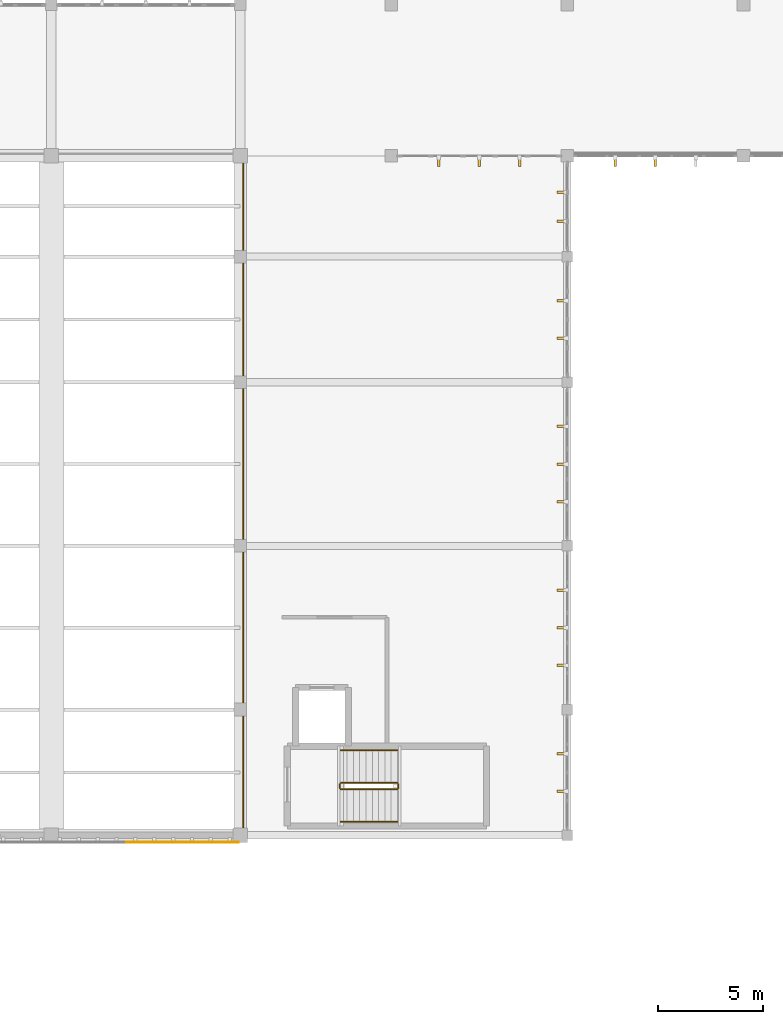
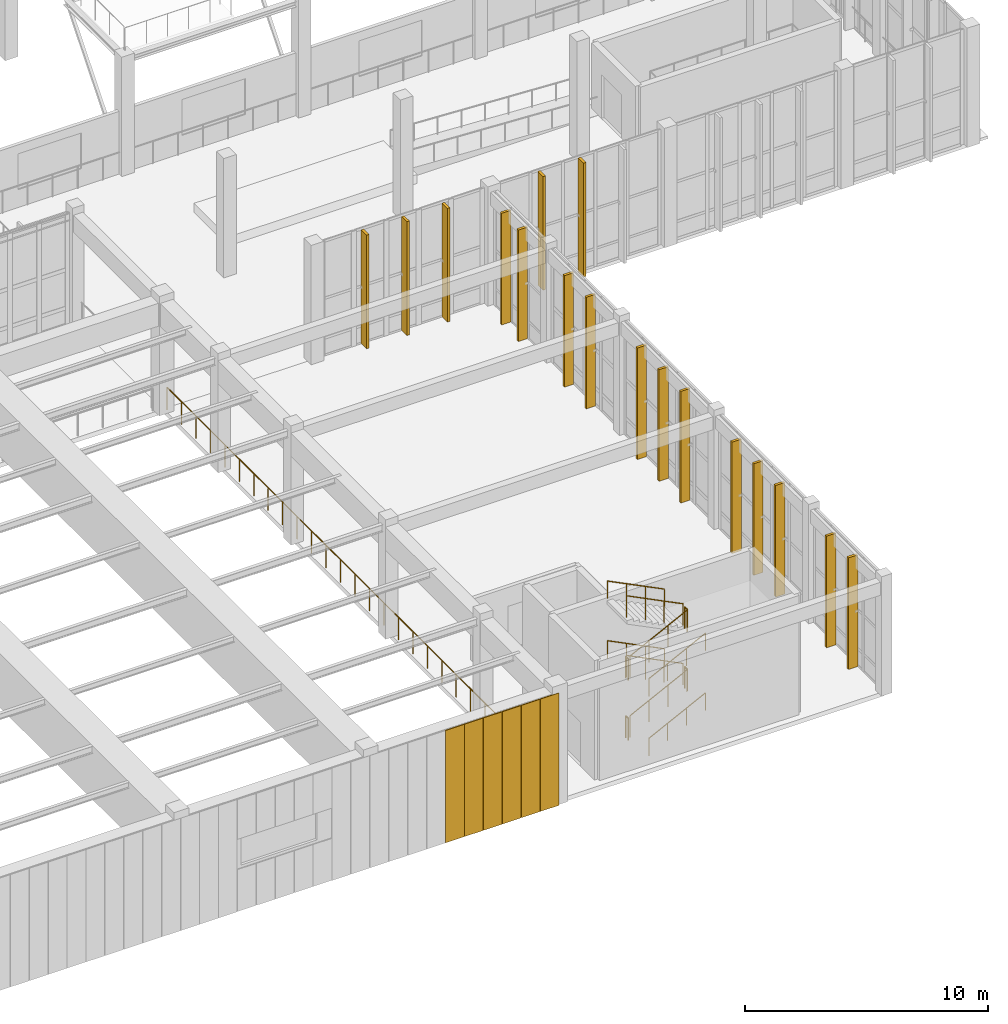
# One storey, part 103 of 105: 23 coverings, 13 railings.
"""IFC4 building model written with IfcOpenShell, lengths in metres."""

from ifc_helpers import new_model, si_unit, direction, frame, origin, origin_2d, place, context, subcontext, project, spatial, rectangle, circle, extrude, material, layer, layer_set, type_object, element, save


model = new_model("IFC4")

# Units and contexts
model_context = context("Model", 3, precision=1e-05, world=origin(), true_north=direction((0.0, 1.0)))
body_context = subcontext(model_context, "Body", "Model", "MODEL_VIEW")
ifc_project = project(units=[si_unit("LENGTHUNIT", "METRE"), si_unit("AREAUNIT", "SQUARE_METRE"), si_unit("VOLUMEUNIT", "CUBIC_METRE"), si_unit("PLANEANGLEUNIT", "RADIAN"), si_unit("MASSUNIT", "GRAM", prefix="KILO")], contexts=[model_context])

# Site, building, storey
site_placement = place(None, origin())
site = spatial("IfcSite", under=ifc_project, at=site_placement, CompositionType="ELEMENT")
building_placement = place(site_placement, origin())
building = spatial("IfcBuilding", under=site, at=building_placement, Name="Tizgana Railside Sports Hall", CompositionType="ELEMENT")
storey_placement = place(building_placement, frame((0.0, 0.0, 6.0)))
storey = spatial("IfcBuildingStorey", under=building, at=storey_placement, Name="L01", CompositionType="ELEMENT", Elevation=6.0)

# Coverings
ifc_material_1 = material(Name="Glulam GL28h", Category="wood")
ifc_layer_1 = layer(ifc_material_1, 0.139892578125, Name="Glulam GL28h")
ifc_layer_set_1 = layer_set([ifc_layer_1], Name="Glulam GL28h")
covering_type_1 = type_object("IfcCoveringType", Name="Mass-Timber Brise-Soleil & Pergola Fin", PredefinedType="CLADDING", material=ifc_layer_set_1)
for number, where, z_axis, x_axis, name in (
    (1, (149.1201171875, 42.901611328125, 0.0400390625), (0.0, 0.0, 1.0), (0.0, 1.0, 0.0), "L01 Timber Brise-Soleil Fin"),
    (2, (149.1201171875, 44.6982421875, 0.0400390625), (0.0, 0.0, 1.0), (0.0, 1.0, 0.0), "L01 Timber Brise-Soleil Fin"),
    (3, (149.1201171875, 48.902587890625, 0.0400390625), (0.0, 0.0, 1.0), (0.0, 1.0, 0.0), "L01 Timber Brise-Soleil Fin"),
    (4, (149.1201171875, 50.699951171875, 0.0400390625), (0.0, 0.0, 1.0), (0.0, 1.0, 0.0), "L01 Timber Brise-Soleil Fin"),
    (5, (149.1201171875, 52.49755859375, 0.0400390625), (0.0, 0.0, 1.0), (0.0, 1.0, 0.0), "L01 Timber Brise-Soleil Fin"),
    (6, (149.1201171875, 56.702392578125, 0.0400390625), (0.0, 0.0, 1.0), (0.0, 1.0, 0.0), "L01 Timber Brise-Soleil Fin"),
    (7, (149.1201171875, 58.5, 0.0400390625), (0.0, 0.0, 1.0), (0.0, 1.0, 0.0), "L01 Timber Brise-Soleil Fin"),
    (8, (149.1201171875, 60.297607421875, 0.0400390625), (0.0, 0.0, 1.0), (0.0, 1.0, 0.0), "L01 Timber Brise-Soleil Fin"),
    (9, (149.1201171875, 64.501708984375, 0.0400390625), (0.0, 0.0, 1.0), (0.0, 1.0, 0.0), "L01 Timber Brise-Soleil Fin"),
    (10, (149.1201171875, 66.29833984375, 0.0400390625), (0.0, 0.0, 1.0), (0.0, 1.0, 0.0), "L01 Timber Brise-Soleil Fin"),
    (11, (149.1201171875, 70.0849609375, 0.0400390625), (0.0, 0.0, 1.0), (0.0, 1.0, 0.0), "L01 Timber Brise-Soleil Fin"),
    (12, (149.1201171875, 71.465087890625, 0.0400390625), (0.0, 0.0, 1.0), (0.0, 1.0, 0.0), "L01 Timber Brise-Soleil Fin"),
):
    element("IfcCovering", number, at=place(storey_placement, frame(where, z_axis=z_axis, x_axis=x_axis)), inside=storey, type_object=covering_type_1, Name=name, PredefinedType="CLADDING", context=body_context, shape_type="SweptSolid", body=[
        extrude(rectangle(XDim=0.1201171875, YDim=0.43994140625, at=origin_2d()), origin(), (0.0, 0.0, 1.0), 5.610107421875),
    ])
for number, where, z_axis, x_axis, name in (
    (13, (147.12255859375, 72.919921875, 0.0400390625), (0.0, 0.0, 1.0), (-1.0, 0.0, 0.0), "L01 Timber Brise-Soleil Fin"),
    (14, (145.199951171875, 72.919921875, 0.0400390625), (0.0, 0.0, 1.0), (-1.0, 0.0, 0.0), "L01 Timber Brise-Soleil Fin"),
    (15, (143.277587890625, 72.919921875, 0.0400390625), (0.0, 0.0, 1.0), (-1.0, 0.0, 0.0), "L01 Timber Brise-Soleil Fin"),
    (16, (153.60009765625, 72.919921875, 0.0400390625), (0.0, 0.0, 1.0), (-1.0, 0.0, 0.0), "L01 Timber Brise-Soleil Fin"),
    (17, (151.677490234375, 72.919921875, 0.0400390625), (0.0, 0.0, 1.0), (-1.0, 0.0, 0.0), "L01 Timber Brise-Soleil Fin"),
):
    element("IfcCovering", number, at=place(storey_placement, frame(where, z_axis=z_axis, x_axis=x_axis)), inside=storey, type_object=covering_type_1, Name=name, PredefinedType="CLADDING", context=body_context, shape_type="SweptSolid", body=[
        extrude(rectangle(XDim=0.1201171875, YDim=0.43994140625, at=origin_2d()), origin(), (0.0, 0.0, 1.0), 5.719970703125),
    ])
ifc_material_2 = material(Name="Anodised perforated aluminium screen", Category="aluminium")
ifc_layer_2 = layer(ifc_material_2, 0.044921875, Name="Anodised perforated aluminium screen")
ifc_layer_set_2 = layer_set([ifc_layer_2], Name="Anodised perforated aluminium screen")
covering_type_2 = type_object("IfcCoveringType", Name="Perforated Aluminium Hall Screen 900", PredefinedType="CLADDING", material=ifc_layer_set_2)
for number, where, z_axis, x_axis, name in (
    (18, (133.30029296875, 40.465087890625, -0.030029296875), (0.0, 0.0, 1.0), (-1.0, 0.0, 0.0), "L01 Perforated Screen SCR-0386"),
    (19, (132.400634765625, 40.465087890625, -0.030029296875), (0.0, 0.0, 1.0), (-1.0, 0.0, 0.0), "L01 Perforated Screen SCR-0387"),
    (20, (131.501220703125, 40.465087890625, -0.030029296875), (0.0, 0.0, 1.0), (-1.0, 0.0, 0.0), "L01 Perforated Screen SCR-0388"),
    (21, (130.601806640625, 40.465087890625, -0.030029296875), (0.0, 0.0, 1.0), (-1.0, 0.0, 0.0), "L01 Perforated Screen SCR-0389"),
    (22, (129.7021484375, 40.465087890625, -0.030029296875), (0.0, 0.0, 1.0), (-1.0, 0.0, 0.0), "L01 Perforated Screen SCR-0390"),
    (23, (128.802734375, 40.465087890625, -0.030029296875), (0.0, 0.0, 1.0), (-1.0, 0.0, 0.0), "L01 Perforated Screen SCR-0391"),
):
    element("IfcCovering", number, at=place(storey_placement, frame(where, z_axis=z_axis, x_axis=x_axis)), inside=storey, type_object=covering_type_2, Name=name, PredefinedType="CLADDING", context=body_context, shape_type="SweptSolid", body=[
        extrude(rectangle(XDim=0.881591796875, YDim=0.044921875, at=origin_2d()), origin(), (0.0, 0.0, 1.0), 5.64990234375),
    ])

# Railings
ifc_material_3 = material(Name="Galvanised steel sheet", Category="steel")
railing_type_1 = type_object("IfcRailingType", Name="Safety Balustrade Guard 1100", PredefinedType="BALUSTRADE", material=ifc_material_3)
railing_1_placement = place(storey_placement, frame((138.60009765625, 43.0, 0.14990234375)))
element("IfcRailing", 24, at=railing_1_placement, inside=storey, type_object=railing_type_1, Name="L01 ST-05 stair guard 1", PredefinedType="BALUSTRADE", context=body_context, shape_type="SweptSolid", body=[
    extrude(circle(Radius=0.02392578125, at=origin_2d()), frame((0.0, 0.0, 1.076171875), z_axis=(0.894411015155, 0.0, 0.447245945728), x_axis=(0.0, 1.0, 0.0)), (0.0, 0.0, 1.0), 3.018798828125),
    extrude(circle(Radius=0.02099609375, at=origin_2d()), origin(), (0.0, 0.0, 1.0), 1.052001953125),
    extrude(circle(Radius=0.02099609375, at=origin_2d()), frame((0.89990234375, 0.0, 0.449951171875)), (0.0, 0.0, 1.0), 1.052001953125),
    extrude(circle(Radius=0.02099609375, at=origin_2d()), frame((1.800048828125, 0.0, 0.900146484375)), (0.0, 0.0, 1.0), 1.052001953125),
    extrude(circle(Radius=0.02099609375, at=origin_2d()), frame((2.699951171875, 0.0, 1.35009765625)), (0.0, 0.0, 1.0), 1.052001953125),
])
railing_2_placement = place(storey_placement, frame((141.35009765625, 43.050048828125, 1.5)))
element("IfcRailing", 25, at=railing_2_placement, inside=storey, type_object=railing_type_1, Name="L01 ST-05 stair guard 2", PredefinedType="BALUSTRADE", context=body_context, shape_type="SweptSolid", body=[
    extrude(circle(Radius=0.02392578125, at=origin_2d()), frame((0.0, 0.0, 1.076171875), z_axis=(0.0, 1.0, 0.0), x_axis=(-1.0, 0.0, 0.0)), (0.0, 0.0, 1.0), 0.199951171875),
    extrude(circle(Radius=0.02099609375, at=origin_2d()), origin(), (0.0, 0.0, 1.0), 1.052001953125),
    extrude(circle(Radius=0.02099609375, at=origin_2d()), frame((0.0, 0.199951171875, 0.0)), (0.0, 0.0, 1.0), 1.052001953125),
])
railing_3_placement = place(storey_placement, frame((141.300048828125, 43.300048828125, 1.64990234375)))
element("IfcRailing", 26, at=railing_3_placement, inside=storey, type_object=railing_type_1, Name="L01 ST-05 stair guard 3", PredefinedType="BALUSTRADE", context=body_context, shape_type="SweptSolid", body=[
    extrude(circle(Radius=0.02392578125, at=origin_2d()), frame((0.0, 0.0, 1.076171875), z_axis=(-0.894411015155, 0.0, 0.447245945728), x_axis=(0.0, -1.0, 0.0)), (0.0, 0.0, 1.0), 3.018798828125),
    extrude(circle(Radius=0.02099609375, at=origin_2d()), origin(), (0.0, 0.0, 1.0), 1.052001953125),
    extrude(circle(Radius=0.02099609375, at=origin_2d()), frame((-0.89990234375, 0.0, 0.449951171875)), (0.0, 0.0, 1.0), 1.052001953125),
    extrude(circle(Radius=0.02099609375, at=origin_2d()), frame((-1.800048828125, 0.0, 0.900146484375)), (0.0, 0.0, 1.0), 1.052001953125),
    extrude(circle(Radius=0.02099609375, at=origin_2d()), frame((-2.699951171875, 0.0, 1.35009765625)), (0.0, 0.0, 1.0), 1.052001953125),
])
railing_4_placement = place(storey_placement, frame((138.550048828125, 43.050048828125, 3.0)))
element("IfcRailing", 27, at=railing_4_placement, inside=storey, type_object=railing_type_1, Name="L01 ST-05 stair guard 4", PredefinedType="BALUSTRADE", context=body_context, shape_type="SweptSolid", body=[
    extrude(circle(Radius=0.02392578125, at=origin_2d()), frame((0.0, 0.0, 1.076171875), z_axis=(0.0, 1.0, 0.0), x_axis=(-1.0, 0.0, 0.0)), (0.0, 0.0, 1.0), 0.199951171875),
    extrude(circle(Radius=0.02099609375, at=origin_2d()), origin(), (0.0, 0.0, 1.0), 1.052001953125),
    extrude(circle(Radius=0.02099609375, at=origin_2d()), frame((0.0, 0.199951171875, 0.0)), (0.0, 0.0, 1.0), 1.052001953125),
])
railing_5_placement = place(storey_placement, frame((138.60009765625, 43.0, 3.14990234375)))
element("IfcRailing", 28, at=railing_5_placement, inside=storey, type_object=railing_type_1, Name="L01 ST-05 stair guard 5", PredefinedType="BALUSTRADE", context=body_context, shape_type="SweptSolid", body=[
    extrude(circle(Radius=0.02392578125, at=origin_2d()), frame((0.0, 0.0, 1.076171875), z_axis=(0.894411015155, 0.0, 0.447245945728), x_axis=(0.0, 1.0, 0.0)), (0.0, 0.0, 1.0), 3.018798828125),
    extrude(circle(Radius=0.02099609375, at=origin_2d()), origin(), (0.0, 0.0, 1.0), 1.052001953125),
    extrude(circle(Radius=0.02099609375, at=origin_2d()), frame((0.89990234375, 0.0, 0.449951171875)), (0.0, 0.0, 1.0), 1.052001953125),
    extrude(circle(Radius=0.02099609375, at=origin_2d()), frame((1.800048828125, 0.0, 0.900146484375)), (0.0, 0.0, 1.0), 1.052001953125),
    extrude(circle(Radius=0.02099609375, at=origin_2d()), frame((2.699951171875, 0.0, 1.35009765625)), (0.0, 0.0, 1.0), 1.052001953125),
])
railing_6_placement = place(storey_placement, frame((141.35009765625, 43.050048828125, 4.5)))
element("IfcRailing", 29, at=railing_6_placement, inside=storey, type_object=railing_type_1, Name="L01 ST-05 stair guard 6", PredefinedType="BALUSTRADE", context=body_context, shape_type="SweptSolid", body=[
    extrude(circle(Radius=0.02392578125, at=origin_2d()), frame((0.0, 0.0, 1.076171875), z_axis=(0.0, 1.0, 0.0), x_axis=(-1.0, 0.0, 0.0)), (0.0, 0.0, 1.0), 0.199951171875),
    extrude(circle(Radius=0.02099609375, at=origin_2d()), origin(), (0.0, 0.0, 1.0), 1.052001953125),
    extrude(circle(Radius=0.02099609375, at=origin_2d()), frame((0.0, 0.199951171875, 0.0)), (0.0, 0.0, 1.0), 1.052001953125),
])
railing_7_placement = place(storey_placement, frame((141.300048828125, 43.300048828125, 4.64990234375)))
element("IfcRailing", 30, at=railing_7_placement, inside=storey, type_object=railing_type_1, Name="L01 ST-05 stair guard 7", PredefinedType="BALUSTRADE", context=body_context, shape_type="SweptSolid", body=[
    extrude(circle(Radius=0.02392578125, at=origin_2d()), frame((0.0, 0.0, 1.076171875), z_axis=(-0.894411015155, 0.0, 0.447245945728), x_axis=(0.0, -1.0, 0.0)), (0.0, 0.0, 1.0), 3.018798828125),
    extrude(circle(Radius=0.02099609375, at=origin_2d()), origin(), (0.0, 0.0, 1.0), 1.052001953125),
    extrude(circle(Radius=0.02099609375, at=origin_2d()), frame((-0.89990234375, 0.0, 0.449951171875)), (0.0, 0.0, 1.0), 1.052001953125),
    extrude(circle(Radius=0.02099609375, at=origin_2d()), frame((-1.800048828125, 0.0, 0.900146484375)), (0.0, 0.0, 1.0), 1.052001953125),
    extrude(circle(Radius=0.02099609375, at=origin_2d()), frame((-2.699951171875, 0.0, 1.35009765625)), (0.0, 0.0, 1.0), 1.052001953125),
])
railing_8_placement = place(storey_placement, frame((138.550048828125, 43.050048828125, 0.0)))
element("IfcRailing", 31, at=railing_8_placement, inside=storey, type_object=railing_type_1, Name="L01 ST-05 stair guard 8", PredefinedType="BALUSTRADE", context=body_context, shape_type="SweptSolid", body=[
    extrude(circle(Radius=0.02392578125, at=origin_2d()), frame((0.0, 0.0, 1.076171875), z_axis=(0.0, 1.0, 0.0), x_axis=(-1.0, 0.0, 0.0)), (0.0, 0.0, 1.0), 0.199951171875),
    extrude(circle(Radius=0.02099609375, at=origin_2d()), origin(), (0.0, 0.0, 1.0), 1.052001953125),
    extrude(circle(Radius=0.02099609375, at=origin_2d()), frame((0.0, 0.199951171875, 0.0)), (0.0, 0.0, 1.0), 1.052001953125),
])
ifc_material_4 = material(Name="Brushed stainless steel", Category="steel")
railing_type_2 = type_object("IfcRailingType", Name="Stair & Ramp Wall Handrail 900", PredefinedType="HANDRAIL", material=ifc_material_4)
railing_9_placement = place(storey_placement, frame((138.60009765625, 41.449951171875, 0.14990234375)))
element("IfcRailing", 32, at=railing_9_placement, inside=storey, type_object=railing_type_2, Name="L01 ST-05 stair handrail 1", PredefinedType="HANDRAIL", context=body_context, shape_type="SweptSolid", body=[
    extrude(circle(Radius=0.02392578125, at=origin_2d()), frame((0.0, 0.0, 0.8759765625), z_axis=(0.894411015155, 0.0, 0.447245945728), x_axis=(0.0, 1.0, 0.0)), (0.0, 0.0, 1.0), 3.018798828125),
    extrude(circle(Radius=0.02099609375, at=origin_2d()), origin(), (0.0, 0.0, 1.0), 0.851806640625),
    extrude(circle(Radius=0.02099609375, at=origin_2d()), frame((0.89990234375, 0.0, 0.449951171875)), (0.0, 0.0, 1.0), 0.851806640625),
    extrude(circle(Radius=0.02099609375, at=origin_2d()), frame((1.800048828125, 0.0, 0.900146484375)), (0.0, 0.0, 1.0), 0.851806640625),
    extrude(circle(Radius=0.02099609375, at=origin_2d()), frame((2.699951171875, 0.0, 1.35009765625)), (0.0, 0.0, 1.0), 0.851806640625),
])
railing_10_placement = place(storey_placement, frame((141.300048828125, 44.85009765625, 1.64990234375)))
element("IfcRailing", 33, at=railing_10_placement, inside=storey, type_object=railing_type_2, Name="L01 ST-05 stair handrail 2", PredefinedType="HANDRAIL", context=body_context, shape_type="SweptSolid", body=[
    extrude(circle(Radius=0.02392578125, at=origin_2d()), frame((0.0, 0.0, 0.8759765625), z_axis=(-0.894411015155, 0.0, 0.447245945728), x_axis=(0.0, -1.0, 0.0)), (0.0, 0.0, 1.0), 3.018798828125),
    extrude(circle(Radius=0.02099609375, at=origin_2d()), origin(), (0.0, 0.0, 1.0), 0.851806640625),
    extrude(circle(Radius=0.02099609375, at=origin_2d()), frame((-0.89990234375, 0.0, 0.449951171875)), (0.0, 0.0, 1.0), 0.851806640625),
    extrude(circle(Radius=0.02099609375, at=origin_2d()), frame((-1.800048828125, 0.0, 0.900146484375)), (0.0, 0.0, 1.0), 0.851806640625),
    extrude(circle(Radius=0.02099609375, at=origin_2d()), frame((-2.699951171875, 0.0, 1.35009765625)), (0.0, 0.0, 1.0), 0.851806640625),
])
railing_11_placement = place(storey_placement, frame((138.60009765625, 41.449951171875, 3.14990234375)))
element("IfcRailing", 34, at=railing_11_placement, inside=storey, type_object=railing_type_2, Name="L01 ST-05 stair handrail 3", PredefinedType="HANDRAIL", context=body_context, shape_type="SweptSolid", body=[
    extrude(circle(Radius=0.02392578125, at=origin_2d()), frame((0.0, 0.0, 0.8759765625), z_axis=(0.894411015155, 0.0, 0.447245945728), x_axis=(0.0, 1.0, 0.0)), (0.0, 0.0, 1.0), 3.018798828125),
    extrude(circle(Radius=0.02099609375, at=origin_2d()), origin(), (0.0, 0.0, 1.0), 0.851806640625),
    extrude(circle(Radius=0.02099609375, at=origin_2d()), frame((0.89990234375, 0.0, 0.449951171875)), (0.0, 0.0, 1.0), 0.851806640625),
    extrude(circle(Radius=0.02099609375, at=origin_2d()), frame((1.800048828125, 0.0, 0.900146484375)), (0.0, 0.0, 1.0), 0.851806640625),
    extrude(circle(Radius=0.02099609375, at=origin_2d()), frame((2.699951171875, 0.0, 1.35009765625)), (0.0, 0.0, 1.0), 0.851806640625),
])
railing_12_placement = place(storey_placement, frame((141.300048828125, 44.85009765625, 4.64990234375)))
element("IfcRailing", 35, at=railing_12_placement, inside=storey, type_object=railing_type_2, Name="L01 ST-05 stair handrail 4", PredefinedType="HANDRAIL", context=body_context, shape_type="SweptSolid", body=[
    extrude(circle(Radius=0.02392578125, at=origin_2d()), frame((0.0, 0.0, 0.8759765625), z_axis=(-0.894411015155, 0.0, 0.447245945728), x_axis=(0.0, -1.0, 0.0)), (0.0, 0.0, 1.0), 3.018798828125),
    extrude(circle(Radius=0.02099609375, at=origin_2d()), origin(), (0.0, 0.0, 1.0), 0.851806640625),
    extrude(circle(Radius=0.02099609375, at=origin_2d()), frame((-0.89990234375, 0.0, 0.449951171875)), (0.0, 0.0, 1.0), 0.851806640625),
    extrude(circle(Radius=0.02099609375, at=origin_2d()), frame((-1.800048828125, 0.0, 0.900146484375)), (0.0, 0.0, 1.0), 0.851806640625),
    extrude(circle(Radius=0.02099609375, at=origin_2d()), frame((-2.699951171875, 0.0, 1.35009765625)), (0.0, 0.0, 1.0), 0.851806640625),
])
ifc_material_5 = material(Name="Anodised aluminium", Category="aluminium")
railing_type_3 = type_object("IfcRailingType", Name="Terrace & Track Guard 1150", PredefinedType="BALUSTRADE", material=ifc_material_5)
railing_13_placement = place(storey_placement, frame((133.949951171875, 40.919921875, 0.0)))
element("IfcRailing", 36, at=railing_13_placement, inside=storey, type_object=railing_type_3, Name="L01 Safety Guard GRD-0005", PredefinedType="BALUSTRADE", context=body_context, shape_type="SweptSolid", body=[
    extrude(circle(Radius=0.02392578125, at=origin_2d()), frame((0.0, 0.0, 1.1259765625), z_axis=(0.0, 1.0, 0.0), x_axis=(-1.0, 0.0, 0.0)), (0.0, 0.0, 1.0), 32.16015625),
    extrude(circle(Radius=0.02099609375, at=origin_2d()), origin(), (0.0, 0.0, 1.0), 1.101806640625),
    extrude(circle(Radius=0.02099609375, at=origin_2d()), frame((0.0, 1.191162109375, 0.0)), (0.0, 0.0, 1.0), 1.101806640625),
    extrude(circle(Radius=0.02099609375, at=origin_2d()), frame((0.0, 2.38232421875, 0.0)), (0.0, 0.0, 1.0), 1.101806640625),
    extrude(circle(Radius=0.02099609375, at=origin_2d()), frame((0.0, 3.5732421875, 0.0)), (0.0, 0.0, 1.0), 1.101806640625),
    extrude(circle(Radius=0.02099609375, at=origin_2d()), frame((0.0, 4.764404296875, 0.0)), (0.0, 0.0, 1.0), 1.101806640625),
    extrude(circle(Radius=0.02099609375, at=origin_2d()), frame((0.0, 5.95556640625, 0.0)), (0.0, 0.0, 1.0), 1.101806640625),
    extrude(circle(Radius=0.02099609375, at=origin_2d()), frame((0.0, 7.146728515625, 0.0)), (0.0, 0.0, 1.0), 1.101806640625),
    extrude(circle(Radius=0.02099609375, at=origin_2d()), frame((0.0, 8.337890625, 0.0)), (0.0, 0.0, 1.0), 1.101806640625),
    extrude(circle(Radius=0.02099609375, at=origin_2d()), frame((0.0, 9.529052734375, 0.0)), (0.0, 0.0, 1.0), 1.101806640625),
    extrude(circle(Radius=0.02099609375, at=origin_2d()), frame((0.0, 10.719970703125, 0.0)), (0.0, 0.0, 1.0), 1.101806640625),
    extrude(circle(Radius=0.02099609375, at=origin_2d()), frame((0.0, 11.9111328125, 0.0)), (0.0, 0.0, 1.0), 1.101806640625),
    extrude(circle(Radius=0.02099609375, at=origin_2d()), frame((0.0, 13.102294921875, 0.0)), (0.0, 0.0, 1.0), 1.101806640625),
    extrude(circle(Radius=0.02099609375, at=origin_2d()), frame((0.0, 14.29345703125, 0.0)), (0.0, 0.0, 1.0), 1.101806640625),
    extrude(circle(Radius=0.02099609375, at=origin_2d()), frame((0.0, 15.484619140625, 0.0)), (0.0, 0.0, 1.0), 1.101806640625),
    extrude(circle(Radius=0.02099609375, at=origin_2d()), frame((0.0, 16.675537109375, 0.0)), (0.0, 0.0, 1.0), 1.101806640625),
    extrude(circle(Radius=0.02099609375, at=origin_2d()), frame((0.0, 17.86669921875, 0.0)), (0.0, 0.0, 1.0), 1.101806640625),
    extrude(circle(Radius=0.02099609375, at=origin_2d()), frame((0.0, 19.057861328125, 0.0)), (0.0, 0.0, 1.0), 1.101806640625),
    extrude(circle(Radius=0.02099609375, at=origin_2d()), frame((0.0, 20.2490234375, 0.0)), (0.0, 0.0, 1.0), 1.101806640625),
    extrude(circle(Radius=0.02099609375, at=origin_2d()), frame((0.0, 21.440185546875, 0.0)), (0.0, 0.0, 1.0), 1.101806640625),
    extrude(circle(Radius=0.02099609375, at=origin_2d()), frame((0.0, 22.631103515625, 0.0)), (0.0, 0.0, 1.0), 1.101806640625),
    extrude(circle(Radius=0.02099609375, at=origin_2d()), frame((0.0, 23.822265625, 0.0)), (0.0, 0.0, 1.0), 1.101806640625),
    extrude(circle(Radius=0.02099609375, at=origin_2d()), frame((0.0, 25.013427734375, 0.0)), (0.0, 0.0, 1.0), 1.101806640625),
    extrude(circle(Radius=0.02099609375, at=origin_2d()), frame((0.0, 26.20458984375, 0.0)), (0.0, 0.0, 1.0), 1.101806640625),
    extrude(circle(Radius=0.02099609375, at=origin_2d()), frame((0.0, 27.395751953125, 0.0)), (0.0, 0.0, 1.0), 1.101806640625),
    extrude(circle(Radius=0.02099609375, at=origin_2d()), frame((0.0, 28.5869140625, 0.0)), (0.0, 0.0, 1.0), 1.101806640625),
    extrude(circle(Radius=0.02099609375, at=origin_2d()), frame((0.0, 29.77783203125, 0.0)), (0.0, 0.0, 1.0), 1.101806640625),
    extrude(circle(Radius=0.02099609375, at=origin_2d()), frame((0.0, 30.968994140625, 0.0)), (0.0, 0.0, 1.0), 1.101806640625),
    extrude(circle(Radius=0.02099609375, at=origin_2d()), frame((0.0, 32.16015625, 0.0)), (0.0, 0.0, 1.0), 1.101806640625),
])

save(model, "model.ifc")
